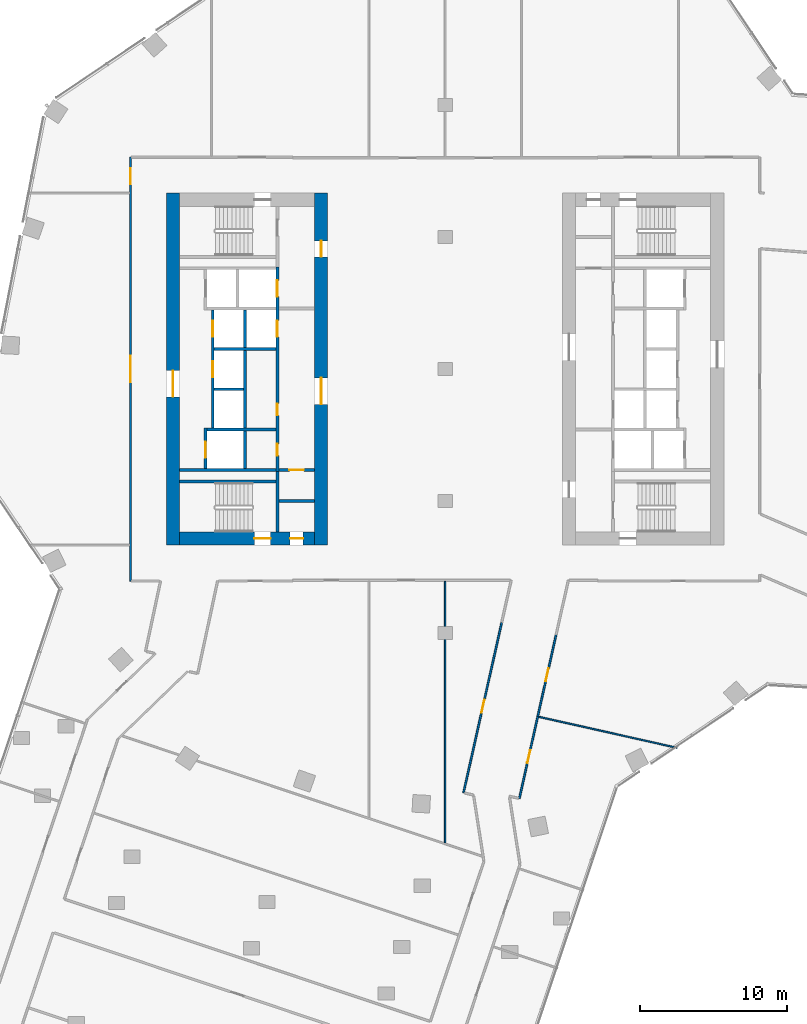
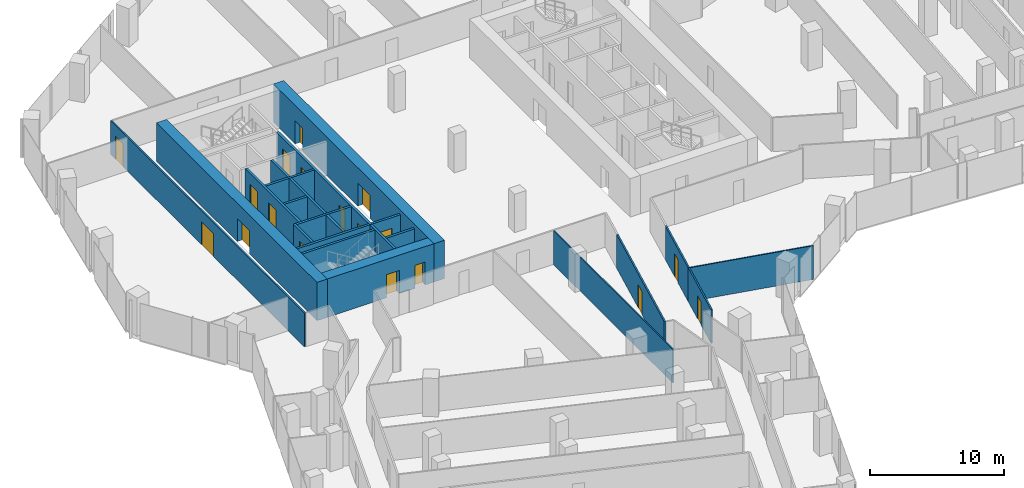
# One storey, part 23 of 32: 23 walls, 18 doors, 18 openings.
"""IFC4 building model written with IfcOpenShell, lengths in metres."""

from ifc_helpers import new_model, si_unit, direction, frame, frame_2d, origin, place, context, subcontext, project, spatial, rectangle, extrude, material, layer, layer_set, type_object, element, fill, save


model = new_model("IFC4")

# Units and contexts
model_context = context("Model", 3, precision=1e-05, world=origin(), true_north=direction((0.0, 1.0)))
body_context = subcontext(model_context, "Body", "Model", "MODEL_VIEW")
ifc_project = project(units=[si_unit("LENGTHUNIT", "METRE"), si_unit("AREAUNIT", "SQUARE_METRE"), si_unit("VOLUMEUNIT", "CUBIC_METRE"), si_unit("PLANEANGLEUNIT", "RADIAN"), si_unit("MASSUNIT", "GRAM", prefix="KILO")], contexts=[model_context])

# Site, building, storey
site_placement = place(None, origin())
site = spatial("IfcSite", under=ifc_project, at=site_placement, CompositionType="ELEMENT")
building_placement = place(site_placement, origin())
building = spatial("IfcBuilding", under=site, at=building_placement, Name="Orlundy Tower", CompositionType="ELEMENT")
storey_placement = place(building_placement, frame((0.0, 0.0, 149.10009765625)))
storey = spatial("IfcBuildingStorey", under=building, at=storey_placement, Name="L38", CompositionType="ELEMENT", Elevation=149.10009765625)

# Wall, openings, doors
ifc_material_1 = material(Name="Concrete C70/85", Category="concrete")
ifc_layer_1 = layer(ifc_material_1, 0.89990234375)
ifc_layer_set_1 = layer_set([ifc_layer_1], Name="CORE WALL 900 C70/85")
wall_type_1 = type_object("IfcWallType", Name="CORE WALL 900 C70/85", PredefinedType="SHEAR", material=ifc_layer_set_1)
wall_1_placement = place(storey_placement, frame((-18.10009765625, -11.550048828125, 0.0), z_axis=(0.0, 0.0, 1.0), x_axis=(1.0, 0.0, 0.0)))
wall_1 = element("IfcWall", 1, at=wall_1_placement, inside=storey, type_object=wall_type_1, Name="Core wall W-S L38", PredefinedType="SHEAR", context=body_context, shape_type="SweptSolid", body=[
    extrude(rectangle(XDim=9.2001953125, YDim=0.89990234375, at=frame_2d((4.60009765625, 0.0))), origin(), (0.0, 0.0, 1.0), 3.5),
])
opening_1_placement = place(wall_1_placement, frame((5.10009765625, 0.0, 0.0)))
opening_1 = element("IfcOpeningElement", 2, at=opening_1_placement, cuts=wall_1, Name="Opening 29013", PredefinedType="OPENING", context=body_context, shape_type="SweptSolid", body=[
    extrude(rectangle(XDim=1.10009765625, YDim=2.10009765625, at=frame_2d((0.550048828125, 1.050048828125))), frame((0.0, 0.4599609375, 0.0), z_axis=(0.0, -1.0, 0.0), x_axis=(1.0, 0.0, 0.0)), (0.0, 0.0, 1.0), 0.919921875),
])
opening_2_placement = place(wall_1_placement, frame((7.530029296875, 0.0, 0.0)))
opening_2 = element("IfcOpeningElement", 3, at=opening_2_placement, cuts=wall_1, Name="Opening 29015", PredefinedType="OPENING", context=body_context, shape_type="SweptSolid", body=[
    extrude(rectangle(XDim=0.89990234375, YDim=2.10009765625, at=frame_2d((0.449951171875, 1.050048828125))), frame((0.0, 0.4599609375, 0.0), z_axis=(0.0, -1.0, 0.0), x_axis=(1.0, 0.0, 0.0)), (0.0, 0.0, 1.0), 0.919921875),
])
ifc_material_2 = material(Name="Timber door set", Category="wood")
door_type_1 = type_object("IfcDoorType", Name="Room Door 900x2100", OperationType="SINGLE_SWING_LEFT", PredefinedType="DOOR", material=ifc_material_2)
door_1_placement = place(opening_2_placement, origin())
door_1 = element("IfcDoor", 4, at=door_1_placement, inside=storey, type_object=door_type_1, Name="Store door 29015", OperationType="SINGLE_SWING_RIGHT", OverallHeight=2.10009765625, OverallWidth=0.89990234375, PredefinedType="DOOR", context=body_context, shape_type="SweptSolid", body=[
    extrude(rectangle(XDim=0.89990234375, YDim=2.10009765625, at=frame_2d((0.449951171875, 1.050048828125))), frame((0.0, 0.02490234375, 0.0), z_axis=(0.0, -1.0, 0.0), x_axis=(1.0, 0.0, 0.0)), (0.0, 0.0, 1.0), 0.050048828125),
])
fill(opening_2, door_1)
ifc_material_3 = material(Name="Steel door set", Category="steel")
door_type_2 = type_object("IfcDoorType", Name="Stair Door 1100x2100", OperationType="SINGLE_SWING_LEFT", PredefinedType="DOOR", material=ifc_material_3)
door_2_placement = place(opening_1_placement, origin())
door_2 = element("IfcDoor", 5, at=door_2_placement, inside=storey, type_object=door_type_2, Name="Stair door 29013", OperationType="SINGLE_SWING_RIGHT", OverallHeight=2.10009765625, OverallWidth=1.10009765625, PredefinedType="DOOR", context=body_context, shape_type="SweptSolid", body=[
    extrude(rectangle(XDim=1.10009765625, YDim=2.10009765625, at=frame_2d((0.550048828125, 1.050048828125))), frame((0.0, 0.02490234375, 0.0), z_axis=(0.0, -1.0, 0.0), x_axis=(1.0, 0.0, 0.0)), (0.0, 0.0, 1.0), 0.050048828125),
])
fill(opening_1, door_2)

# Wall, opening, door
wall_2_placement = place(storey_placement, frame((-18.550048828125, -12.0, 0.0), z_axis=(0.0, 0.0, 1.0), x_axis=(0.0, 1.0, 0.0)))
wall_2 = element("IfcWall", 6, at=wall_2_placement, inside=storey, type_object=wall_type_1, Name="Core wall W-W L38", PredefinedType="SHEAR", context=body_context, shape_type="SweptSolid", body=[
    extrude(rectangle(XDim=24.0, YDim=0.89990234375, at=frame_2d((12.0, 0.0))), origin(), (0.0, 0.0, 1.0), 3.5),
])
opening_3_placement = place(wall_2_placement, frame((10.10009765625, 0.0, 0.0)))
opening_3 = element("IfcOpeningElement", 7, at=opening_3_placement, cuts=wall_2, Name="Opening 29010", PredefinedType="OPENING", context=body_context, shape_type="SweptSolid", body=[
    extrude(rectangle(XDim=1.800048828125, YDim=2.10009765625, at=frame_2d((0.89990234375, 1.050048828125))), frame((0.0, 0.4599609375, 0.0), z_axis=(0.0, -1.0, 0.0), x_axis=(1.0, 0.0, 0.0)), (0.0, 0.0, 1.0), 0.919921875),
])
ifc_material_4 = material(Name="Timber door set", Category="wood")
door_type_3 = type_object("IfcDoorType", Name="Lobby Door 1800x2100", OperationType="DOUBLE_DOOR_DOUBLE_SWING", PredefinedType="DOOR", material=ifc_material_4)
door_3_placement = place(opening_3_placement, origin())
door_3 = element("IfcDoor", 8, at=door_3_placement, inside=storey, type_object=door_type_3, Name="Lift lobby door 29010", OperationType="SINGLE_SWING_LEFT", OverallHeight=2.10009765625, OverallWidth=1.800048828125, PredefinedType="DOOR", context=body_context, shape_type="SweptSolid", body=[
    extrude(rectangle(XDim=1.800048828125, YDim=2.10009765625, at=frame_2d((0.89990234375, 1.050048828125))), frame((0.0, 0.02490234375, 0.0), z_axis=(0.0, -1.0, 0.0), x_axis=(1.0, 0.0, 0.0)), (0.0, 0.0, 1.0), 0.050048828125),
])
fill(opening_3, door_3)

# Wall, openings, doors
wall_3_placement = place(storey_placement, frame((-8.449951171875, -12.0, 0.0), z_axis=(0.0, 0.0, 1.0), x_axis=(0.0, 1.0, 0.0)))
wall_3 = element("IfcWall", 9, at=wall_3_placement, inside=storey, type_object=wall_type_1, Name="Core wall W-E L38", PredefinedType="SHEAR", context=body_context, shape_type="SweptSolid", body=[
    extrude(rectangle(XDim=24.0, YDim=0.89990234375, at=frame_2d((12.0, 0.0))), origin(), (0.0, 0.0, 1.0), 3.5),
])
opening_4_placement = place(wall_3_placement, frame((9.60009765625, 0.0, 0.0)))
opening_4 = element("IfcOpeningElement", 10, at=opening_4_placement, cuts=wall_3, Name="Opening 29009", PredefinedType="OPENING", context=body_context, shape_type="SweptSolid", body=[
    extrude(rectangle(XDim=1.800048828125, YDim=2.10009765625, at=frame_2d((0.89990234375, 1.050048828125))), frame((0.0, 0.4599609375, 0.0), z_axis=(0.0, -1.0, 0.0), x_axis=(1.0, 0.0, 0.0)), (0.0, 0.0, 1.0), 0.919921875),
])
opening_5_placement = place(wall_3_placement, frame((19.64990234375, 0.0, 0.0)))
opening_5 = element("IfcOpeningElement", 11, at=opening_5_placement, cuts=wall_3, Name="Opening 29011", PredefinedType="OPENING", context=body_context, shape_type="SweptSolid", body=[
    extrude(rectangle(XDim=1.10009765625, YDim=2.10009765625, at=frame_2d((0.550048828125, 1.050048828125))), frame((0.0, 0.4599609375, 0.0), z_axis=(0.0, -1.0, 0.0), x_axis=(1.0, 0.0, 0.0)), (0.0, 0.0, 1.0), 0.919921875),
])
ifc_material_5 = material(Name="Steel door set", Category="steel")
door_type_4 = type_object("IfcDoorType", Name="Fire-fighting Lobby Door 1100x2100", OperationType="SINGLE_SWING_LEFT", PredefinedType="DOOR", material=ifc_material_5)
door_4_placement = place(opening_5_placement, origin())
door_4 = element("IfcDoor", 12, at=door_4_placement, inside=storey, type_object=door_type_4, Name="Fire-fighting lobby door 29011", OperationType="SINGLE_SWING_RIGHT", OverallHeight=2.10009765625, OverallWidth=1.10009765625, PredefinedType="DOOR", context=body_context, shape_type="SweptSolid", body=[
    extrude(rectangle(XDim=1.10009765625, YDim=2.10009765625, at=frame_2d((0.550048828125, 1.050048828125))), frame((0.0, 0.02490234375, 0.0), z_axis=(0.0, -1.0, 0.0), x_axis=(1.0, 0.0, 0.0)), (0.0, 0.0, 1.0), 0.050048828125),
])
fill(opening_5, door_4)
door_5_placement = place(opening_4_placement, origin())
door_5 = element("IfcDoor", 13, at=door_5_placement, inside=storey, type_object=door_type_3, Name="Lift lobby door 29009", OperationType="SINGLE_SWING_LEFT", OverallHeight=2.10009765625, OverallWidth=1.800048828125, PredefinedType="DOOR", context=body_context, shape_type="SweptSolid", body=[
    extrude(rectangle(XDim=1.800048828125, YDim=2.10009765625, at=frame_2d((0.89990234375, 1.050048828125))), frame((0.0, 0.02490234375, 0.0), z_axis=(0.0, -1.0, 0.0), x_axis=(1.0, 0.0, 0.0)), (0.0, 0.0, 1.0), 0.050048828125),
])
fill(opening_4, door_5)

# Walls
ifc_material_6 = material(Name="Gypsum board partition")
ifc_layer_2 = layer(ifc_material_6, 0.10009765625)
ifc_layer_set_2 = layer_set([ifc_layer_2], Name="Floor partition 100")
wall_type_2 = type_object("IfcWallType", Name="Floor partition 100", PredefinedType="PARTITIONING", material=ifc_layer_set_2)
wall_4_placement = place(storey_placement, frame((6.3779296875, -23.700927734375, 0.0), z_axis=(0.0, 0.0, 1.0), x_axis=(0.975712069102, -0.219056974802, 0.0)))
element("IfcWall", 14, at=wall_4_placement, inside=storey, type_object=wall_type_2, Name="wall-int-L38-023", PredefinedType="PARTITIONING", context=body_context, shape_type="SweptSolid", body=[
    extrude(rectangle(XDim=9.673828125, YDim=0.10009765625, at=frame_2d((4.8369140625, 0.0))), origin(), (0.0, 0.0, 1.0), 3.079833984375),
])
wall_5_placement = place(storey_placement, frame((0.0, -32.297119140625, 0.0), z_axis=(0.0, 0.0, 1.0), x_axis=(0.0, 1.0, 0.0)))
element("IfcWall", 15, at=wall_5_placement, inside=storey, type_object=wall_type_2, Name="wall-int-L38-107", PredefinedType="PARTITIONING", context=body_context, shape_type="SweptSolid", body=[
    extrude(rectangle(XDim=17.834228515625, YDim=0.10009765625, at=frame_2d((8.9169921875, 0.0))), origin(), (0.0, 0.0, 1.0), 3.079833984375),
])

# Wall, opening, door
ifc_material_7 = material(Name="Gypsum board partition, double layer")
ifc_layer_3 = layer(ifc_material_7, 0.125)
ifc_layer_set_3 = layer_set([ifc_layer_3], Name="Floor partition 125")
wall_type_3 = type_object("IfcWallType", Name="Floor partition 125", PredefinedType="PARTITIONING", material=ifc_layer_set_3)
wall_6_placement = place(storey_placement, frame((6.31689453125, -23.68701171875, 0.0), z_axis=(0.0, 0.0, 1.0), x_axis=(-0.21900849334, -0.975722952402, 0.0)))
wall_6 = element("IfcWall", 16, at=wall_6_placement, inside=storey, type_object=wall_type_3, Name="wall-int-L38-078", PredefinedType="PARTITIONING", context=body_context, shape_type="SweptSolid", body=[
    extrude(rectangle(XDim=5.720947265625, YDim=0.125, at=frame_2d((2.8603515625, 0.0))), origin(), (0.0, 0.0, 1.0), 3.079833984375),
])
opening_6_placement = place(wall_6_placement, frame((2.35009765625, 0.0, 0.0)))
opening_6 = element("IfcOpeningElement", 17, at=opening_6_placement, cuts=wall_6, Name="Opening 29127", PredefinedType="OPENING", context=body_context, shape_type="SweptSolid", body=[
    extrude(rectangle(XDim=0.89990234375, YDim=2.10009765625, at=frame_2d((0.449951171875, 1.050048828125))), frame((0.0, 0.072509765625, 0.0), z_axis=(0.0, -1.0, 0.0), x_axis=(1.0, 0.0, 0.0)), (0.0, 0.0, 1.0), 0.14501953125),
])
ifc_material_8 = material(Name="Timber door leaf", Category="wood")
door_type_5 = type_object("IfcDoorType", Name="Floor door single 900 FD30S", OperationType="NOTDEFINED", PredefinedType="DOOR", material=ifc_material_8)
door_6_placement = place(opening_6_placement, origin())
door_6 = element("IfcDoor", 18, at=door_6_placement, inside=storey, type_object=door_type_5, Name="Door 29127", OperationType="SINGLE_SWING_LEFT", OverallHeight=2.10009765625, OverallWidth=0.89990234375, PredefinedType="DOOR", context=body_context, shape_type="SweptSolid", body=[
    extrude(rectangle(XDim=0.89990234375, YDim=2.10009765625, at=frame_2d((0.449951171875, 1.050048828125))), frame((0.0, 0.02490234375, 0.0), z_axis=(0.0, -1.0, 0.0), x_axis=(1.0, 0.0, 0.0)), (0.0, 0.0, 1.0), 0.050048828125),
])
fill(opening_6, door_6)

wall_7_placement = place(storey_placement, frame((7.569091796875, -18.10693359375, 0.0), z_axis=(0.0, 0.0, 1.0), x_axis=(-0.218959545299, -0.975733937876, 0.0)))
wall_7 = element("IfcWall", 19, at=wall_7_placement, inside=storey, type_object=wall_type_3, Name="wall-int-L38-081", PredefinedType="PARTITIONING", context=body_context, shape_type="SweptSolid", body=[
    extrude(rectangle(XDim=5.71875, YDim=0.125, at=frame_2d((2.859375, 0.0))), origin(), (0.0, 0.0, 1.0), 3.079833984375),
])
opening_7_placement = place(wall_7_placement, frame((2.35009765625, 0.0, 0.0)))
opening_7 = element("IfcOpeningElement", 20, at=opening_7_placement, cuts=wall_7, Name="Opening 29128", PredefinedType="OPENING", context=body_context, shape_type="SweptSolid", body=[
    extrude(rectangle(XDim=0.89990234375, YDim=2.10009765625, at=frame_2d((0.449951171875, 1.050048828125))), frame((0.0, 0.072509765625, 0.0), z_axis=(0.0, -1.0, 0.0), x_axis=(1.0, 0.0, 0.0)), (0.0, 0.0, 1.0), 0.14501953125),
])
door_7_placement = place(opening_7_placement, origin())
door_7 = element("IfcDoor", 21, at=door_7_placement, inside=storey, type_object=door_type_5, Name="Door 29128", OperationType="SINGLE_SWING_LEFT", OverallHeight=2.10009765625, OverallWidth=0.89990234375, PredefinedType="DOOR", context=body_context, shape_type="SweptSolid", body=[
    extrude(rectangle(XDim=0.89990234375, YDim=2.10009765625, at=frame_2d((0.449951171875, 1.050048828125))), frame((0.0, 0.02490234375, 0.0), z_axis=(0.0, -1.0, 0.0), x_axis=(1.0, 0.0, 0.0)), (0.0, 0.0, 1.0), 0.050048828125),
])
fill(opening_7, door_7)

wall_8_placement = place(storey_placement, frame((1.256103515625, -28.881103515625, 0.0), z_axis=(0.0, 0.0, 1.0), x_axis=(0.218920699835, 0.975742654179, 0.0)))
wall_8 = element("IfcWall", 22, at=wall_8_placement, inside=storey, type_object=wall_type_3, Name="wall-int-L38-082", PredefinedType="PARTITIONING", context=body_context, shape_type="SweptSolid", body=[
    extrude(rectangle(XDim=11.894775390625, YDim=0.125, at=frame_2d((5.947265625, 0.0))), origin(), (0.0, 0.0, 1.0), 3.079833984375),
])
opening_8_placement = place(wall_8_placement, frame((5.60009765625, 0.0, 0.0)))
opening_8 = element("IfcOpeningElement", 23, at=opening_8_placement, cuts=wall_8, Name="Opening 29126", PredefinedType="OPENING", context=body_context, shape_type="SweptSolid", body=[
    extrude(rectangle(XDim=0.89990234375, YDim=2.10009765625, at=frame_2d((0.449951171875, 1.050048828125))), frame((0.0, 0.072509765625, 0.0), z_axis=(0.0, -1.0, 0.0), x_axis=(1.0, 0.0, 0.0)), (0.0, 0.0, 1.0), 0.14501953125),
])
door_8_placement = place(opening_8_placement, origin())
door_8 = element("IfcDoor", 24, at=door_8_placement, inside=storey, type_object=door_type_5, Name="Door 29126", OperationType="SINGLE_SWING_RIGHT", OverallHeight=2.10009765625, OverallWidth=0.89990234375, PredefinedType="DOOR", context=body_context, shape_type="SweptSolid", body=[
    extrude(rectangle(XDim=0.89990234375, YDim=2.10009765625, at=frame_2d((0.449951171875, 1.050048828125))), frame((0.0, 0.02490234375, 0.0), z_axis=(0.0, -1.0, 0.0), x_axis=(1.0, 0.0, 0.0)), (0.0, 0.0, 1.0), 0.050048828125),
])
fill(opening_8, door_8)

# Wall, openings, doors
wall_9_placement = place(storey_placement, frame((-21.449951171875, -14.450927734375, 0.0), z_axis=(0.0, 0.0, 1.0), x_axis=(0.0, 1.0, 0.0)))
wall_9 = element("IfcWall", 25, at=wall_9_placement, inside=storey, type_object=wall_type_3, Name="wall-int-L38-112", PredefinedType="PARTITIONING", context=body_context, shape_type="SweptSolid", body=[
    extrude(rectangle(XDim=28.90185546875, YDim=0.125, at=frame_2d((14.450927734375, 0.0))), origin(), (0.0, 0.0, 1.0), 3.079833984375),
])
opening_9_placement = place(wall_9_placement, frame((13.551025390625, 0.0, 0.0)))
opening_9 = element("IfcOpeningElement", 26, at=opening_9_placement, cuts=wall_9, Name="Opening 29121", PredefinedType="OPENING", context=body_context, shape_type="SweptSolid", body=[
    extrude(rectangle(XDim=1.800048828125, YDim=2.10009765625, at=frame_2d((0.89990234375, 1.050048828125))), frame((0.0, 0.072509765625, 0.0), z_axis=(0.0, -1.0, 0.0), x_axis=(1.0, 0.0, 0.0)), (0.0, 0.0, 1.0), 0.14501953125),
])
opening_10_placement = place(wall_9_placement, frame((27.051025390625, 0.0, 0.0)))
opening_10 = element("IfcOpeningElement", 27, at=opening_10_placement, cuts=wall_9, Name="Opening 29136", PredefinedType="OPENING", context=body_context, shape_type="SweptSolid", body=[
    extrude(rectangle(XDim=1.10009765625, YDim=2.10009765625, at=frame_2d((0.550048828125, 1.050048828125))), frame((0.0, 0.072509765625, 0.0), z_axis=(0.0, -1.0, 0.0), x_axis=(1.0, 0.0, 0.0)), (0.0, 0.0, 1.0), 0.14501953125),
])
ifc_material_9 = material(Name="Timber door leaf", Category="wood")
door_type_6 = type_object("IfcDoorType", Name="Floor door double 1800 FD30S", OperationType="NOTDEFINED", PredefinedType="DOOR", material=ifc_material_9)
door_9_placement = place(opening_9_placement, origin())
door_9 = element("IfcDoor", 28, at=door_9_placement, inside=storey, type_object=door_type_6, Name="Door 29121", OperationType="DOUBLE_DOOR_SINGLE_SWING", OverallHeight=2.10009765625, OverallWidth=1.800048828125, PredefinedType="DOOR", context=body_context, shape_type="SweptSolid", body=[
    extrude(rectangle(XDim=1.800048828125, YDim=2.10009765625, at=frame_2d((0.89990234375, 1.050048828125))), frame((0.0, 0.02490234375, 0.0), z_axis=(0.0, -1.0, 0.0), x_axis=(1.0, 0.0, 0.0)), (0.0, 0.0, 1.0), 0.050048828125),
])
fill(opening_9, door_9)
ifc_material_10 = material(Name="Timber door leaf", Category="wood")
door_type_7 = type_object("IfcDoorType", Name="Floor door xwide 1100 FD30S", OperationType="NOTDEFINED", PredefinedType="DOOR", material=ifc_material_10)
door_10_placement = place(opening_10_placement, origin())
door_10 = element("IfcDoor", 29, at=door_10_placement, inside=storey, type_object=door_type_7, Name="Door 29136", OperationType="SINGLE_SWING_RIGHT", OverallHeight=2.10009765625, OverallWidth=1.10009765625, PredefinedType="DOOR", context=body_context, shape_type="SweptSolid", body=[
    extrude(rectangle(XDim=1.10009765625, YDim=2.10009765625, at=frame_2d((0.550048828125, 1.050048828125))), frame((0.0, 0.02490234375, 0.0), z_axis=(0.0, -1.0, 0.0), x_axis=(1.0, 0.0, 0.0)), (0.0, 0.0, 1.0), 0.050048828125),
])
fill(opening_10, door_10)

# Walls
ifc_material_11 = material(Name="Concrete C40/50", Category="concrete")
ifc_layer_4 = layer(ifc_material_11, 0.199951171875)
ifc_layer_set_4 = layer_set([ifc_layer_4], Name="Load-bearing Shaft Wall 200")
wall_type_4 = type_object("IfcWallType", Name="Load-bearing Shaft Wall 200", PredefinedType="SOLIDWALL", material=ifc_layer_set_4)
wall_10_placement = place(storey_placement, frame((-11.43994140625, -11.10009765625, 0.0), z_axis=(0.0, 0.0, 1.0), x_axis=(0.0, 1.0, 0.0)))
element("IfcWall", 30, at=wall_10_placement, inside=storey, type_object=wall_type_4, Name="Shaft wall W29-stair-end-s", PredefinedType="SOLIDWALL", context=body_context, shape_type="SweptSolid", body=[
    extrude(rectangle(XDim=4.125, YDim=0.199951171875, at=frame_2d((2.0625, 0.0))), origin(), (0.0, 0.0, 1.0), 3.08984375),
])
wall_11_placement = place(storey_placement, frame((-11.5400390625, -7.64990234375, 0.0), z_axis=(0.0, 0.0, 1.0), x_axis=(-1.0, 0.0, 0.0)))
element("IfcWall", 31, at=wall_11_placement, inside=storey, type_object=wall_type_4, Name="Shaft wall W29-stair-side-s", PredefinedType="SOLIDWALL", context=body_context, shape_type="SweptSolid", body=[
    extrude(rectangle(XDim=6.56005859375, YDim=0.199951171875, at=frame_2d((3.280029296875, 0.0))), origin(), (0.0, 0.0, 1.0), 3.08984375),
])

# Wall, opening, door
ifc_material_12 = material(Name="Gypsum board partition on steel studs", Category="steel")
ifc_layer_5 = layer(ifc_material_12, 0.199951171875)
ifc_layer_set_5 = layer_set([ifc_layer_5], Name="Partition 200")
wall_type_5 = type_object("IfcWallType", Name="Partition 200", PredefinedType="PARTITIONING", material=ifc_layer_set_5)
wall_12_placement = place(storey_placement, frame((-8.89990234375, -6.875, 0.0), z_axis=(0.0, 0.0, 1.0), x_axis=(-1.0, 0.0, 0.0)))
wall_12 = element("IfcWall", 32, at=wall_12_placement, inside=storey, type_object=wall_type_5, Name="Partition wall W29-end-s", PredefinedType="PARTITIONING", context=body_context, shape_type="SweptSolid", body=[
    extrude(rectangle(XDim=2.440185546875, YDim=0.199951171875, at=frame_2d((1.22021484375, 0.0))), origin(), (0.0, 0.0, 1.0), 3.08984375),
])
opening_11_placement = place(wall_12_placement, frame((0.719970703125, 0.0, 0.0)))
opening_11 = element("IfcOpeningElement", 33, at=opening_11_placement, cuts=wall_12, Name="Opening 29016", PredefinedType="OPENING", context=body_context, shape_type="SweptSolid", body=[
    extrude(rectangle(XDim=1.0, YDim=2.10009765625, at=frame_2d((0.5, 1.050048828125))), frame((0.0, 0.110107421875, 0.0), z_axis=(0.0, -1.0, 0.0), x_axis=(1.0, 0.0, 0.0)), (0.0, 0.0, 1.0), 0.22021484375),
])
ifc_material_13 = material(Name="Timber door set", Category="wood")
door_type_8 = type_object("IfcDoorType", Name="Accessible Door 1000x2100", OperationType="SINGLE_SWING_LEFT", PredefinedType="DOOR", material=ifc_material_13)
door_11_placement = place(opening_11_placement, origin())
door_11 = element("IfcDoor", 34, at=door_11_placement, inside=storey, type_object=door_type_8, Name="Accessible WC door 29016", OperationType="SINGLE_SWING_RIGHT", OverallHeight=2.10009765625, OverallWidth=1.0, PredefinedType="DOOR", context=body_context, shape_type="SweptSolid", body=[
    extrude(rectangle(XDim=1.0, YDim=2.10009765625, at=frame_2d((0.5, 1.050048828125))), frame((0.0, 0.02490234375, 0.0), z_axis=(0.0, -1.0, 0.0), x_axis=(1.0, 0.0, 0.0)), (0.0, 0.0, 1.0), 0.050048828125),
])
fill(opening_11, door_11)

# Walls
wall_13_placement = place(storey_placement, frame((-8.89990234375, -9.0, 0.0), z_axis=(0.0, 0.0, 1.0), x_axis=(-1.0, 0.0, 0.0)))
element("IfcWall", 35, at=wall_13_placement, inside=storey, type_object=wall_type_5, Name="Partition wall W29-room-s0", PredefinedType="PARTITIONING", context=body_context, shape_type="SweptSolid", body=[
    extrude(rectangle(XDim=2.440185546875, YDim=0.199951171875, at=frame_2d((1.22021484375, 0.0))), origin(), (0.0, 0.0, 1.0), 3.08984375),
])
ifc_material_14 = material(Name="Fire-rated blockwork shaft wall", Category="masonry")
ifc_layer_6 = layer(ifc_material_14, 0.199951171875)
ifc_layer_set_6 = layer_set([ifc_layer_6], Name="Shaft Wall 200")
wall_type_6 = type_object("IfcWallType", Name="Shaft Wall 200", PredefinedType="SOLIDWALL", material=ifc_layer_set_6)
wall_14_placement = place(storey_placement, frame((-11.5400390625, -6.875, 0.0), z_axis=(0.0, 0.0, 1.0), x_axis=(-1.0, 0.0, 0.0)))
element("IfcWall", 36, at=wall_14_placement, inside=storey, type_object=wall_type_6, Name="Shaft wall W29-zone-s", PredefinedType="SOLIDWALL", context=body_context, shape_type="SweptSolid", body=[
    extrude(rectangle(XDim=6.56005859375, YDim=0.199951171875, at=frame_2d((3.280029296875, 0.0))), origin(), (0.0, 0.0, 1.0), 3.08984375),
])
wall_15_placement = place(storey_placement, frame((-11.5400390625, -4.125, 0.0), z_axis=(0.0, 0.0, 1.0), x_axis=(-1.0, 0.0, 0.0)))
element("IfcWall", 37, at=wall_15_placement, inside=storey, type_object=wall_type_6, Name="Shaft wall W29-cross-4.125", PredefinedType="SOLIDWALL", context=body_context, shape_type="SweptSolid", body=[
    extrude(rectangle(XDim=4.699951171875, YDim=0.199951171875, at=frame_2d((2.35009765625, 0.0))), origin(), (0.0, 0.0, 1.0), 3.08984375),
])
wall_16_placement = place(storey_placement, frame((-13.739990234375, -1.375, 0.0), z_axis=(0.0, 0.0, 1.0), x_axis=(-1.0, 0.0, 0.0)))
element("IfcWall", 38, at=wall_16_placement, inside=storey, type_object=wall_type_6, Name="Shaft wall W29-cross-1.375", PredefinedType="SOLIDWALL", context=body_context, shape_type="SweptSolid", body=[
    extrude(rectangle(XDim=2.0, YDim=0.199951171875, at=frame_2d((1.0, 0.0))), origin(), (0.0, 0.0, 1.0), 3.08984375),
])
wall_17_placement = place(storey_placement, frame((-11.5400390625, 1.375, 0.0), z_axis=(0.0, 0.0, 1.0), x_axis=(-1.0, 0.0, 0.0)))
element("IfcWall", 39, at=wall_17_placement, inside=storey, type_object=wall_type_6, Name="Shaft wall W29-cross+1.375", PredefinedType="SOLIDWALL", context=body_context, shape_type="SweptSolid", body=[
    extrude(rectangle(XDim=4.199951171875, YDim=0.199951171875, at=frame_2d((2.10009765625, 0.0))), origin(), (0.0, 0.0, 1.0), 3.08984375),
])

# Wall, openings, doors
wall_18_placement = place(storey_placement, frame((-11.43994140625, -6.97509765625, 0.0), z_axis=(0.0, 0.0, 1.0), x_axis=(0.0, 1.0, 0.0)))
wall_18 = element("IfcWall", 40, at=wall_18_placement, inside=storey, type_object=wall_type_6, Name="Shaft wall W29-front-h", PredefinedType="SOLIDWALL", context=body_context, shape_type="SweptSolid", body=[
    extrude(rectangle(XDim=13.9501953125, YDim=0.199951171875, at=frame_2d((6.97509765625, 0.0))), origin(), (0.0, 0.0, 1.0), 3.08984375),
])
opening_12_placement = place(wall_18_placement, frame((9.175048828125, 0.0, 0.0)))
opening_12 = element("IfcOpeningElement", 41, at=opening_12_placement, cuts=wall_18, Name="Opening 29003", PredefinedType="OPENING", context=body_context, shape_type="SweptSolid", body=[
    extrude(rectangle(XDim=1.10009765625, YDim=2.10009765625, at=frame_2d((0.550048828125, 1.050048828125))), frame((0.0, 0.110107421875, 0.0), z_axis=(0.0, -1.0, 0.0), x_axis=(1.0, 0.0, 0.0)), (0.0, 0.0, 1.0), 0.22021484375),
])
opening_13_placement = place(wall_18_placement, frame((11.925048828125, 0.0, 0.0)))
opening_13 = element("IfcOpeningElement", 42, at=opening_13_placement, cuts=wall_18, Name="Opening 29005", PredefinedType="OPENING", context=body_context, shape_type="SweptSolid", body=[
    extrude(rectangle(XDim=1.10009765625, YDim=2.10009765625, at=frame_2d((0.550048828125, 1.050048828125))), frame((0.0, 0.110107421875, 0.0), z_axis=(0.0, -1.0, 0.0), x_axis=(1.0, 0.0, 0.0)), (0.0, 0.0, 1.0), 0.22021484375),
])
opening_14_placement = place(wall_18_placement, frame((1.074951171875, 0.0, 0.0)))
opening_14 = element("IfcOpeningElement", 43, at=opening_14_placement, cuts=wall_18, Name="Opening 29007", PredefinedType="OPENING", context=body_context, shape_type="SweptSolid", body=[
    extrude(rectangle(XDim=0.800048828125, YDim=2.10009765625, at=frame_2d((0.39990234375, 1.050048828125))), frame((0.0, 0.110107421875, 0.0), z_axis=(0.0, -1.0, 0.0), x_axis=(1.0, 0.0, 0.0)), (0.0, 0.0, 1.0), 0.22021484375),
])
opening_15_placement = place(wall_18_placement, frame((3.824951171875, 0.0, 0.0)))
opening_15 = element("IfcOpeningElement", 44, at=opening_15_placement, cuts=wall_18, Name="Opening 29008", PredefinedType="OPENING", context=body_context, shape_type="SweptSolid", body=[
    extrude(rectangle(XDim=0.800048828125, YDim=2.10009765625, at=frame_2d((0.39990234375, 1.050048828125))), frame((0.0, 0.110107421875, 0.0), z_axis=(0.0, -1.0, 0.0), x_axis=(1.0, 0.0, 0.0)), (0.0, 0.0, 1.0), 0.22021484375),
])
ifc_material_15 = material(Name="Steel door set", Category="steel")
door_type_9 = type_object("IfcDoorType", Name="Landing Door 1100x2100", OperationType="DOUBLE_DOOR_SLIDING", PredefinedType="DOOR", material=ifc_material_15)
door_12_placement = place(opening_12_placement, origin())
door_12 = element("IfcDoor", 45, at=door_12_placement, inside=storey, type_object=door_type_9, Name="Lift landing door LP-12 29003", OperationType="DOUBLE_DOOR_SLIDING", OverallHeight=2.10009765625, OverallWidth=1.10009765625, PredefinedType="DOOR", context=body_context, shape_type="SweptSolid", body=[
    extrude(rectangle(XDim=1.10009765625, YDim=2.10009765625, at=frame_2d((0.550048828125, 1.050048828125))), frame((0.0, 0.02490234375, 0.0), z_axis=(0.0, -1.0, 0.0), x_axis=(1.0, 0.0, 0.0)), (0.0, 0.0, 1.0), 0.050048828125),
])
fill(opening_12, door_12)
door_13_placement = place(opening_13_placement, origin())
door_13 = element("IfcDoor", 46, at=door_13_placement, inside=storey, type_object=door_type_9, Name="Lift landing door FL1 29005", OperationType="DOUBLE_DOOR_SLIDING", OverallHeight=2.10009765625, OverallWidth=1.10009765625, PredefinedType="DOOR", context=body_context, shape_type="SweptSolid", body=[
    extrude(rectangle(XDim=1.10009765625, YDim=2.10009765625, at=frame_2d((0.550048828125, 1.050048828125))), frame((0.0, 0.02490234375, 0.0), z_axis=(0.0, -1.0, 0.0), x_axis=(1.0, 0.0, 0.0)), (0.0, 0.0, 1.0), 0.050048828125),
])
fill(opening_13, door_13)
ifc_material_16 = material(Name="Timber door set", Category="wood")
door_type_10 = type_object("IfcDoorType", Name="Riser Door 800x2100", OperationType="SINGLE_SWING_LEFT", PredefinedType="DOOR", material=ifc_material_16)
door_14_placement = place(opening_14_placement, origin())
door_14 = element("IfcDoor", 47, at=door_14_placement, inside=storey, type_object=door_type_10, Name="Telecom Room door 29007", OperationType="SINGLE_SWING_LEFT", OverallHeight=2.10009765625, OverallWidth=0.800048828125, PredefinedType="DOOR", context=body_context, shape_type="SweptSolid", body=[
    extrude(rectangle(XDim=0.800048828125, YDim=2.10009765625, at=frame_2d((0.39990234375, 1.050048828125))), frame((0.0, 0.02490234375, 0.0), z_axis=(0.0, -1.0, 0.0), x_axis=(1.0, 0.0, 0.0)), (0.0, 0.0, 1.0), 0.050048828125),
])
fill(opening_14, door_14)
door_15_placement = place(opening_15_placement, origin())
door_15 = element("IfcDoor", 48, at=door_15_placement, inside=storey, type_object=door_type_10, Name="Linen Store door 29008", OperationType="SINGLE_SWING_LEFT", OverallHeight=2.10009765625, OverallWidth=0.800048828125, PredefinedType="DOOR", context=body_context, shape_type="SweptSolid", body=[
    extrude(rectangle(XDim=0.800048828125, YDim=2.10009765625, at=frame_2d((0.39990234375, 1.050048828125))), frame((0.0, 0.02490234375, 0.0), z_axis=(0.0, -1.0, 0.0), x_axis=(1.0, 0.0, 0.0)), (0.0, 0.0, 1.0), 0.050048828125),
])
fill(opening_15, door_15)

# Walls
wall_19_placement = place(storey_placement, frame((-13.639892578125, -6.77490234375, 0.0), z_axis=(0.0, 0.0, 1.0), x_axis=(0.0, 1.0, 0.0)))
element("IfcWall", 49, at=wall_19_placement, inside=storey, type_object=wall_type_6, Name="Shaft wall W29-mid-a", PredefinedType="SOLIDWALL", context=body_context, shape_type="SweptSolid", body=[
    extrude(rectangle(XDim=2.5498046875, YDim=0.199951171875, at=frame_2d((1.27490234375, 0.0))), origin(), (0.0, 0.0, 1.0), 3.08984375),
])
wall_20_placement = place(storey_placement, frame((-13.639892578125, -4.02490234375, 0.0), z_axis=(0.0, 0.0, 1.0), x_axis=(0.0, 1.0, 0.0)))
element("IfcWall", 50, at=wall_20_placement, inside=storey, type_object=wall_type_6, Name="Shaft wall W29-mid-a.1", PredefinedType="SOLIDWALL", context=body_context, shape_type="SweptSolid", body=[
    extrude(rectangle(XDim=5.2998046875, YDim=0.199951171875, at=frame_2d((2.64990234375, 0.0))), origin(), (0.0, 0.0, 1.0), 3.08984375),
])
wall_21_placement = place(storey_placement, frame((-13.639892578125, 1.47509765625, 0.0), z_axis=(0.0, 0.0, 1.0), x_axis=(0.0, 1.0, 0.0)))
element("IfcWall", 51, at=wall_21_placement, inside=storey, type_object=wall_type_6, Name="Shaft wall W29-mid-a.2", PredefinedType="SOLIDWALL", context=body_context, shape_type="SweptSolid", body=[
    extrude(rectangle(XDim=2.5498046875, YDim=0.199951171875, at=frame_2d((1.27490234375, 0.0))), origin(), (0.0, 0.0, 1.0), 3.08984375),
])

# Wall, opening, door
wall_22_placement = place(storey_placement, frame((-16.340087890625, -6.77490234375, 0.0), z_axis=(0.0, 0.0, 1.0), x_axis=(0.0, 1.0, 0.0)))
wall_22 = element("IfcWall", 52, at=wall_22_placement, inside=storey, type_object=wall_type_6, Name="Shaft wall W29-front-o-a", PredefinedType="SOLIDWALL", context=body_context, shape_type="SweptSolid", body=[
    extrude(rectangle(XDim=2.75, YDim=0.199951171875, at=frame_2d((1.375, 0.0))), origin(), (0.0, 0.0, 1.0), 3.08984375),
])
opening_16_placement = place(wall_22_placement, frame((0.72509765625, 0.0, 0.0)))
opening_16 = element("IfcOpeningElement", 53, at=opening_16_placement, cuts=wall_22, Name="Opening 29001", PredefinedType="OPENING", context=body_context, shape_type="SweptSolid", body=[
    extrude(rectangle(XDim=1.10009765625, YDim=2.10009765625, at=frame_2d((0.550048828125, 1.050048828125))), frame((0.0, 0.110107421875, 0.0), z_axis=(0.0, -1.0, 0.0), x_axis=(1.0, 0.0, 0.0)), (0.0, 0.0, 1.0), 0.22021484375),
])
door_16_placement = place(opening_16_placement, origin())
door_16 = element("IfcDoor", 54, at=door_16_placement, inside=storey, type_object=door_type_9, Name="Lift landing door LV-01 29001", OperationType="DOUBLE_DOOR_SLIDING", OverallHeight=2.10009765625, OverallWidth=1.10009765625, PredefinedType="DOOR", context=body_context, shape_type="SweptSolid", body=[
    extrude(rectangle(XDim=1.10009765625, YDim=2.10009765625, at=frame_2d((0.550048828125, 1.050048828125))), frame((0.0, 0.02490234375, 0.0), z_axis=(0.0, -1.0, 0.0), x_axis=(1.0, 0.0, 0.0)), (0.0, 0.0, 1.0), 0.050048828125),
])
fill(opening_16, door_16)

# Wall, openings, doors
wall_23_placement = place(storey_placement, frame((-15.840087890625, -4.02490234375, 0.0), z_axis=(0.0, 0.0, 1.0), x_axis=(0.0, 1.0, 0.0)))
wall_23 = element("IfcWall", 55, at=wall_23_placement, inside=storey, type_object=wall_type_6, Name="Shaft wall W29-front-o-b", PredefinedType="SOLIDWALL", context=body_context, shape_type="SweptSolid", body=[
    extrude(rectangle(XDim=8.0498046875, YDim=0.199951171875, at=frame_2d((4.02490234375, 0.0))), origin(), (0.0, 0.0, 1.0), 3.08984375),
])
opening_17_placement = place(wall_23_placement, frame((3.47509765625, 0.0, 0.0)))
opening_17 = element("IfcOpeningElement", 56, at=opening_17_placement, cuts=wall_23, Name="Opening 29002", PredefinedType="OPENING", context=body_context, shape_type="SweptSolid", body=[
    extrude(rectangle(XDim=1.10009765625, YDim=2.10009765625, at=frame_2d((0.550048828125, 1.050048828125))), frame((0.0, 0.110107421875, 0.0), z_axis=(0.0, -1.0, 0.0), x_axis=(1.0, 0.0, 0.0)), (0.0, 0.0, 1.0), 0.22021484375),
])
opening_18_placement = place(wall_23_placement, frame((6.22509765625, 0.0, 0.0)))
opening_18 = element("IfcOpeningElement", 57, at=opening_18_placement, cuts=wall_23, Name="Opening 29004", PredefinedType="OPENING", context=body_context, shape_type="SweptSolid", body=[
    extrude(rectangle(XDim=1.10009765625, YDim=2.10009765625, at=frame_2d((0.550048828125, 1.050048828125))), frame((0.0, 0.110107421875, 0.0), z_axis=(0.0, -1.0, 0.0), x_axis=(1.0, 0.0, 0.0)), (0.0, 0.0, 1.0), 0.22021484375),
])
door_17_placement = place(opening_17_placement, origin())
door_17 = element("IfcDoor", 58, at=door_17_placement, inside=storey, type_object=door_type_9, Name="Lift landing door LP-11 29002", OperationType="DOUBLE_DOOR_SLIDING", OverallHeight=2.10009765625, OverallWidth=1.10009765625, PredefinedType="DOOR", context=body_context, shape_type="SweptSolid", body=[
    extrude(rectangle(XDim=1.10009765625, YDim=2.10009765625, at=frame_2d((0.550048828125, 1.050048828125))), frame((0.0, 0.02490234375, 0.0), z_axis=(0.0, -1.0, 0.0), x_axis=(1.0, 0.0, 0.0)), (0.0, 0.0, 1.0), 0.050048828125),
])
fill(opening_17, door_17)
door_18_placement = place(opening_18_placement, origin())
door_18 = element("IfcDoor", 59, at=door_18_placement, inside=storey, type_object=door_type_9, Name="Lift landing door LP-13 29004", OperationType="DOUBLE_DOOR_SLIDING", OverallHeight=2.10009765625, OverallWidth=1.10009765625, PredefinedType="DOOR", context=body_context, shape_type="SweptSolid", body=[
    extrude(rectangle(XDim=1.10009765625, YDim=2.10009765625, at=frame_2d((0.550048828125, 1.050048828125))), frame((0.0, 0.02490234375, 0.0), z_axis=(0.0, -1.0, 0.0), x_axis=(1.0, 0.0, 0.0)), (0.0, 0.0, 1.0), 0.050048828125),
])
fill(opening_18, door_18)

save(model, "model.ifc")
